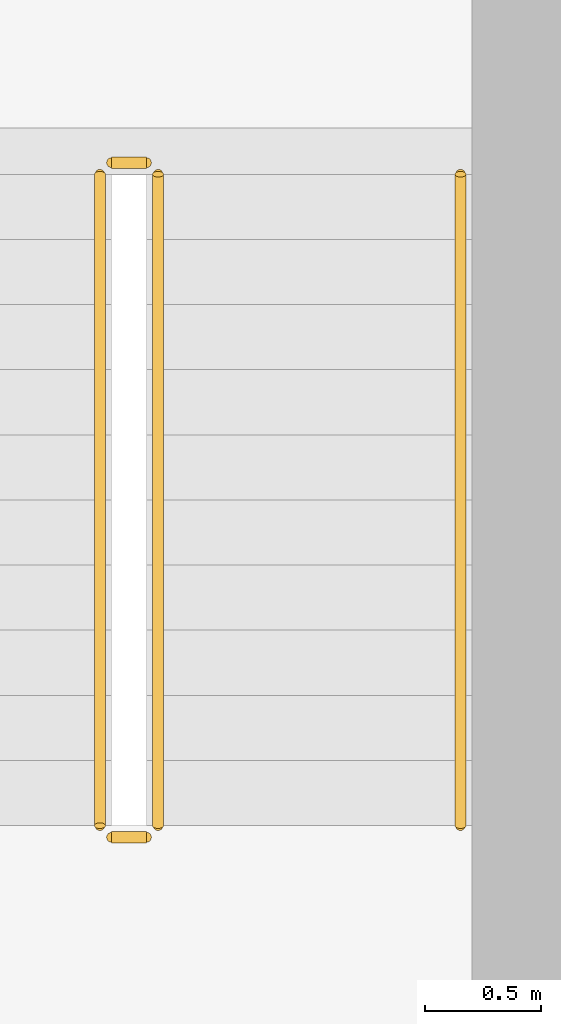
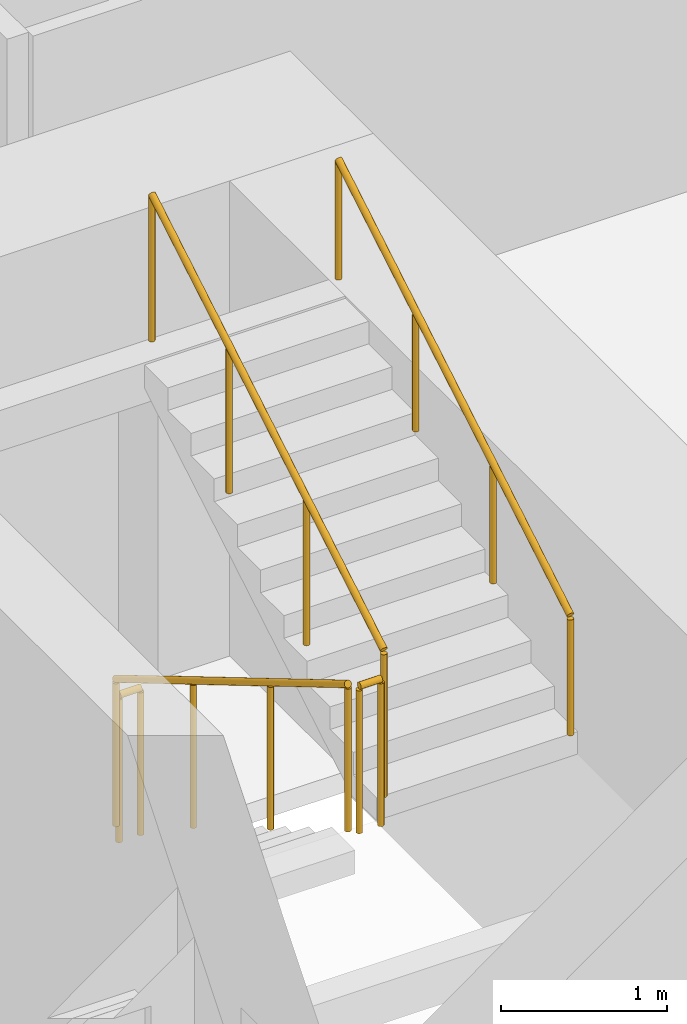
# One storey, part 41 of 51: 5 railings.
"""IFC4 building model written with IfcOpenShell, lengths in metres."""

from ifc_helpers import new_model, si_unit, direction, frame, origin, origin_2d, place, context, subcontext, project, spatial, circle, extrude, material, type_object, element, save


model = new_model("IFC4")

# Units and contexts
model_context = context("Model", 3, precision=1e-05, world=origin(), true_north=direction((0.0, 1.0)))
body_context = subcontext(model_context, "Body", "Model", "MODEL_VIEW")
ifc_project = project(units=[si_unit("LENGTHUNIT", "METRE"), si_unit("AREAUNIT", "SQUARE_METRE"), si_unit("VOLUMEUNIT", "CUBIC_METRE"), si_unit("PLANEANGLEUNIT", "RADIAN"), si_unit("MASSUNIT", "GRAM", prefix="KILO")], contexts=[model_context])

# Site, building, storey
site_placement = place(None, origin())
site = spatial("IfcSite", under=ifc_project, at=site_placement, CompositionType="ELEMENT")
building_placement = place(site_placement, origin())
building = spatial("IfcBuilding", under=site, at=building_placement, Name="Isthmus Gate Tower", CompositionType="ELEMENT")
storey_placement = place(building_placement, frame((0.0, 0.0, 36.0)))
storey = spatial("IfcBuildingStorey", under=building, at=storey_placement, Name="L06", CompositionType="ELEMENT", Elevation=36.0)

# Railings
ifc_material_1 = material(Name="Stainless steel balustrade", Category="steel")
railing_type_1 = type_object("IfcRailingType", Name="STAIR GUARD 1100", PredefinedType="GUARDRAIL", material=ifc_material_1)
railing_1_placement = place(storey_placement, frame((12.39990234375, 12.60009765625, 0.166015625)))
element("IfcRailing", 1, at=railing_1_placement, inside=storey, type_object=railing_type_1, Name="L06 ST2 stair guard 1", PredefinedType="GUARDRAIL", context=body_context, shape_type="SweptSolid", body=[
    extrude(circle(Radius=0.02392578125, at=origin_2d()), frame((0.0, 0.0, 1.076171875), z_axis=(0.0, -0.860339051648, 0.50972219513), x_axis=(1.0, 0.0, 0.0)), (0.0, 0.0, 1.0), 3.254638671875),
    extrude(circle(Radius=0.02099609375, at=origin_2d()), origin(), (0.0, 0.0, 1.0), 1.052001953125),
    extrude(circle(Radius=0.02099609375, at=origin_2d()), frame((0.0, -0.933349609375, 0.552978515625)), (0.0, 0.0, 1.0), 1.052001953125),
    extrude(circle(Radius=0.02099609375, at=origin_2d()), frame((0.0, -1.86669921875, 1.10595703125)), (0.0, 0.0, 1.0), 1.052001953125),
    extrude(circle(Radius=0.02099609375, at=origin_2d()), frame((0.0, -2.800048828125, 1.658935546875)), (0.0, 0.0, 1.0), 1.052001953125),
])
railing_2_placement = place(storey_placement, frame((12.449951171875, 9.75, 1.824951171875)))
element("IfcRailing", 2, at=railing_2_placement, inside=storey, type_object=railing_type_1, Name="L06 ST2 stair guard 2", PredefinedType="GUARDRAIL", context=body_context, shape_type="SweptSolid", body=[
    extrude(circle(Radius=0.02392578125, at=origin_2d()), frame((0.0, 0.0, 1.076171875), z_axis=(1.0, 0.0, 0.0), x_axis=(0.0, 1.0, 0.0)), (0.0, 0.0, 1.0), 0.150146484375),
    extrude(circle(Radius=0.02099609375, at=origin_2d()), origin(), (0.0, 0.0, 1.0), 1.052001953125),
    extrude(circle(Radius=0.02099609375, at=origin_2d()), frame((0.150146484375, 0.0, 0.0)), (0.0, 0.0, 1.0), 1.052001953125),
])
railing_3_placement = place(storey_placement, frame((12.64990234375, 9.800048828125, 1.990966796875)))
element("IfcRailing", 3, at=railing_3_placement, inside=storey, type_object=railing_type_1, Name="L06 ST2 stair guard 3", PredefinedType="GUARDRAIL", context=body_context, shape_type="SweptSolid", body=[
    extrude(circle(Radius=0.02392578125, at=origin_2d()), frame((0.0, 0.0, 1.076171875), z_axis=(0.0, 0.860339051648, 0.50972219513), x_axis=(-1.0, 0.0, 0.0)), (0.0, 0.0, 1.0), 3.254638671875),
    extrude(circle(Radius=0.02099609375, at=origin_2d()), origin(), (0.0, 0.0, 1.0), 1.052001953125),
    extrude(circle(Radius=0.02099609375, at=origin_2d()), frame((0.0, 0.933349609375, 0.552978515625)), (0.0, 0.0, 1.0), 1.052001953125),
    extrude(circle(Radius=0.02099609375, at=origin_2d()), frame((0.0, 1.86669921875, 1.10595703125)), (0.0, 0.0, 1.0), 1.052001953125),
    extrude(circle(Radius=0.02099609375, at=origin_2d()), frame((0.0, 2.800048828125, 1.658935546875)), (0.0, 0.0, 1.0), 1.052001953125),
])
railing_4_placement = place(storey_placement, frame((12.449951171875, 12.64990234375, 0.0)))
element("IfcRailing", 4, at=railing_4_placement, inside=storey, type_object=railing_type_1, Name="L06 ST2 stair guard 4", PredefinedType="GUARDRAIL", context=body_context, shape_type="SweptSolid", body=[
    extrude(circle(Radius=0.02392578125, at=origin_2d()), frame((0.0, 0.0, 1.076171875), z_axis=(1.0, 0.0, 0.0), x_axis=(0.0, 1.0, 0.0)), (0.0, 0.0, 1.0), 0.150146484375),
    extrude(circle(Radius=0.02099609375, at=origin_2d()), origin(), (0.0, 0.0, 1.0), 1.052001953125),
    extrude(circle(Radius=0.02099609375, at=origin_2d()), frame((0.150146484375, 0.0, 0.0)), (0.0, 0.0, 1.0), 1.052001953125),
])
ifc_material_2 = material(Name="Stainless steel handrail", Category="steel")
railing_type_2 = type_object("IfcRailingType", Name="STAIR HANDRAIL 900", PredefinedType="HANDRAIL", material=ifc_material_2)
railing_5_placement = place(storey_placement, frame((13.949951171875, 9.800048828125, 1.990966796875)))
element("IfcRailing", 5, at=railing_5_placement, inside=storey, type_object=railing_type_2, Name="L06 ST2 stair handrail 2", PredefinedType="HANDRAIL", context=body_context, shape_type="SweptSolid", body=[
    extrude(circle(Radius=0.02392578125, at=origin_2d()), frame((0.0, 0.0, 0.8759765625), z_axis=(0.0, 0.860339051648, 0.50972219513), x_axis=(-1.0, 0.0, 0.0)), (0.0, 0.0, 1.0), 3.254638671875),
    extrude(circle(Radius=0.02099609375, at=origin_2d()), origin(), (0.0, 0.0, 1.0), 0.851806640625),
    extrude(circle(Radius=0.02099609375, at=origin_2d()), frame((0.0, 0.933349609375, 0.552978515625)), (0.0, 0.0, 1.0), 0.851806640625),
    extrude(circle(Radius=0.02099609375, at=origin_2d()), frame((0.0, 1.86669921875, 1.10595703125)), (0.0, 0.0, 1.0), 0.851806640625),
    extrude(circle(Radius=0.02099609375, at=origin_2d()), frame((0.0, 2.800048828125, 1.658935546875)), (0.0, 0.0, 1.0), 0.851806640625),
])

save(model, "model.ifc")
